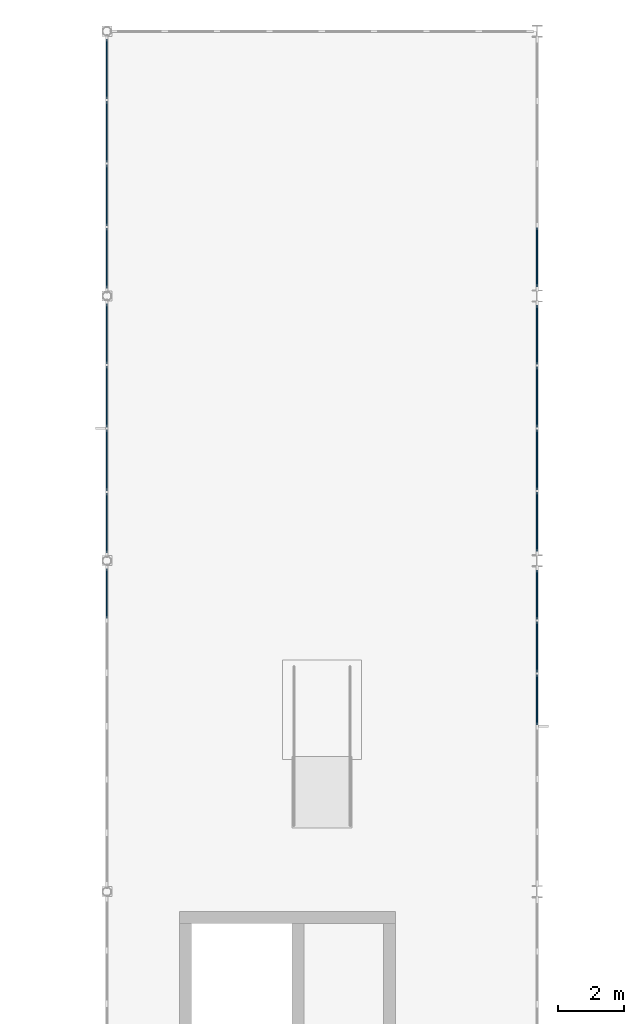
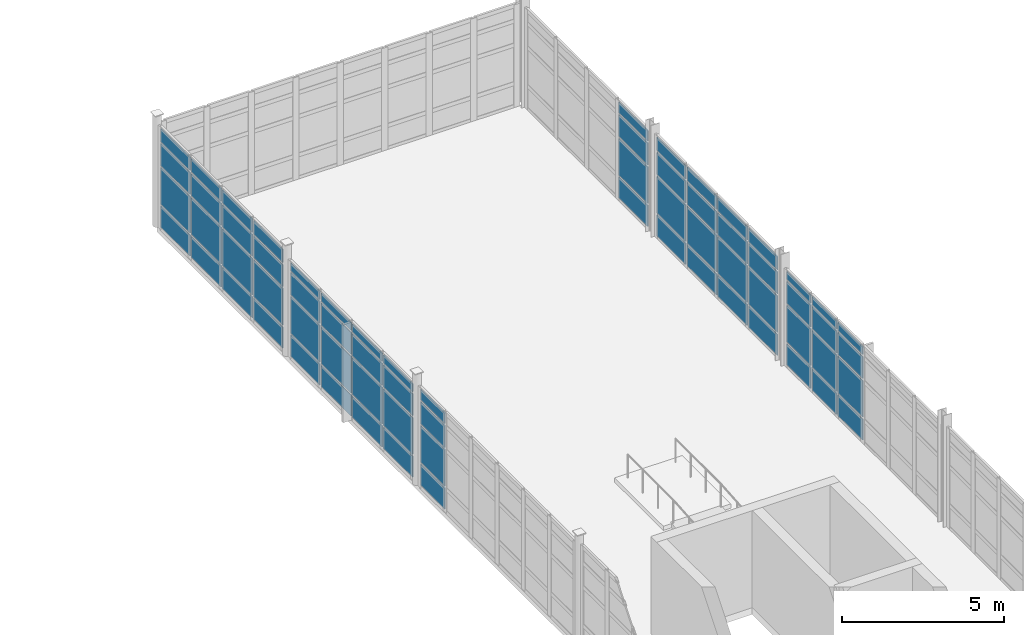
# One storey, part 86 of 122: 68 plates, 6 elements without a shape of their own.
"""IFC4 building model written with IfcOpenShell, lengths in metres."""

from ifc_helpers import new_model, si_unit, direction, frame, origin, origin_2d, place, context, subcontext, project, spatial, rectangle, extrude, material, layer, layer_set, type_object, element, aggregate, save


model = new_model("IFC4")

# Units and contexts
model_context = context("Model", 3, precision=1e-05, world=origin(), true_north=direction((0.0, 1.0)))
body_context = subcontext(model_context, "Body", "Model", "MODEL_VIEW")
ifc_project = project(units=[si_unit("LENGTHUNIT", "METRE"), si_unit("AREAUNIT", "SQUARE_METRE"), si_unit("VOLUMEUNIT", "CUBIC_METRE"), si_unit("PLANEANGLEUNIT", "RADIAN"), si_unit("MASSUNIT", "GRAM", prefix="KILO"), si_unit("THERMODYNAMICTEMPERATUREUNIT", "KELVIN"), si_unit("POWERUNIT", "WATT")], contexts=[model_context])

# Site, building, storey
site_placement = place(None, origin())
site = spatial("IfcSite", under=ifc_project, at=site_placement, CompositionType="ELEMENT")
building_placement = place(site_placement, origin())
building = spatial("IfcBuilding", under=site, at=building_placement, Name="Korenveer Ferry Terminal", CompositionType="ELEMENT")
storey_placement = place(building_placement, frame((0.0, 0.0, 10.199951171875)))
storey = spatial("IfcBuildingStorey", under=building, at=storey_placement, Name="L02", CompositionType="ELEMENT", Elevation=10.199951171875)

# Curtain wall, plates
ifc_material_1 = material(Name="Unitised bronze-and-glass curtain wall", Category="glass")
ifc_layer_1 = layer(ifc_material_1, 0.219970703125)
ifc_layer_set_1 = layer_set([ifc_layer_1], Name="Unitised bronze-and-glass curtain wall")
curtain_wall_type_1 = type_object("IfcCurtainWallType", Name="ENV-CW-111", PredefinedType="USERDEFINED", material=ifc_layer_set_1)
curtain_wall_1_placement = place(storey_placement, frame((40.0, 90.16650390625, 0.0)))
curtain_wall_1 = element("IfcCurtainWall", 1, at=curtain_wall_1_placement, inside=storey, type_object=curtain_wall_type_1, Name="Lancet curtain wall CWX-L02-X40-40-Y90-100", ObjectType="UNITISED CURTAIN WALL", PredefinedType="USERDEFINED")
ifc_material_2 = material(Name="Acoustic laminated marine glazing", Category="glass")
ifc_layer_2 = layer(ifc_material_2, 0.035888671875)
ifc_layer_set_2 = layer_set([ifc_layer_2], Name="Acoustic laminated marine glazing")
plate_type = type_object("IfcPlateType", Name="ENV-CWP-GLZ36", PredefinedType="CURTAIN_PANEL", material=ifc_layer_set_2)
plate_1_placement = place(storey_placement, frame((40.0, 99.00927734375, 0.074951171875), z_axis=(0.0, 0.0, 1.0), x_axis=(0.0, 1.0, 0.0)))
plate_1 = element("IfcPlate", 2, at=plate_1_placement, type_object=plate_type, Name="CW-111 panel 6.1", PredefinedType="CURTAIN_PANEL", context=body_context, shape_type="SweptSolid", body=[
    extrude(rectangle(XDim=1.498779296875, YDim=0.035888671875, at=origin_2d()), origin(), (0.0, 0.0, 1.0), 0.78759765625),
])
plate_2_placement = place(storey_placement, frame((40.0, 99.00927734375, 0.9375), z_axis=(0.0, 0.0, 1.0), x_axis=(0.0, 1.0, 0.0)))
plate_2 = element("IfcPlate", 3, at=plate_2_placement, type_object=plate_type, Name="CW-111 panel 6.2", PredefinedType="CURTAIN_PANEL", context=body_context, shape_type="SweptSolid", body=[
    extrude(rectangle(XDim=1.498779296875, YDim=0.035888671875, at=origin_2d()), origin(), (0.0, 0.0, 1.0), 1.375),
])
plate_3_placement = place(storey_placement, frame((40.0, 99.00927734375, 2.3876953125), z_axis=(0.0, 0.0, 1.0), x_axis=(0.0, 1.0, 0.0)))
plate_3 = element("IfcPlate", 4, at=plate_3_placement, type_object=plate_type, Name="CW-111 panel 6.3", PredefinedType="CURTAIN_PANEL", context=body_context, shape_type="SweptSolid", body=[
    extrude(rectangle(XDim=1.498779296875, YDim=0.035888671875, at=origin_2d()), origin(), (0.0, 0.0, 1.0), 0.824951171875),
])
plate_4_placement = place(storey_placement, frame((40.0, 99.00927734375, 3.28759765625), z_axis=(0.0, 0.0, 1.0), x_axis=(0.0, 1.0, 0.0)))
plate_4 = element("IfcPlate", 5, at=plate_4_placement, type_object=plate_type, Name="CW-111 panel 6.4", PredefinedType="CURTAIN_PANEL", context=body_context, shape_type="SweptSolid", body=[
    extrude(rectangle(XDim=1.498779296875, YDim=0.035888671875, at=origin_2d()), origin(), (0.0, 0.0, 1.0), 0.3974609375),
])
aggregate(curtain_wall_1, [plate_1, plate_2, plate_3, plate_4])

ifc_layer_3 = layer(ifc_material_1, 0.219970703125)
ifc_layer_set_3 = layer_set([ifc_layer_3], Name="Unitised bronze-and-glass curtain wall")
curtain_wall_type_2 = type_object("IfcCurtainWallType", Name="ENV-CW-112", PredefinedType="USERDEFINED", material=ifc_layer_set_3)
curtain_wall_2_placement = place(storey_placement, frame((40.0, 100.16650390625, 0.0)))
curtain_wall_2 = element("IfcCurtainWall", 6, at=curtain_wall_2_placement, inside=storey, type_object=curtain_wall_type_2, Name="Lancet curtain wall CWX-L02-X40-40-Y100-108", ObjectType="UNITISED CURTAIN WALL", PredefinedType="USERDEFINED")
plate_5_placement = place(storey_placement, frame((40.0, 101.1435546875, 0.074951171875), z_axis=(0.0, 0.0, 1.0), x_axis=(0.0, 1.0, 0.0)))
plate_5 = element("IfcPlate", 7, at=plate_5_placement, type_object=plate_type, Name="CW-112 panel 1.1", PredefinedType="CURTAIN_PANEL", context=body_context, shape_type="SweptSolid", body=[
    extrude(rectangle(XDim=1.80419921875, YDim=0.035888671875, at=origin_2d()), origin(), (0.0, 0.0, 1.0), 0.78759765625),
])
plate_6_placement = place(storey_placement, frame((40.0, 101.1435546875, 0.9375), z_axis=(0.0, 0.0, 1.0), x_axis=(0.0, 1.0, 0.0)))
plate_6 = element("IfcPlate", 8, at=plate_6_placement, type_object=plate_type, Name="CW-112 panel 1.2", PredefinedType="CURTAIN_PANEL", context=body_context, shape_type="SweptSolid", body=[
    extrude(rectangle(XDim=1.80419921875, YDim=0.035888671875, at=origin_2d()), origin(), (0.0, 0.0, 1.0), 1.375),
])
plate_7_placement = place(storey_placement, frame((40.0, 101.1435546875, 2.3876953125), z_axis=(0.0, 0.0, 1.0), x_axis=(0.0, 1.0, 0.0)))
plate_7 = element("IfcPlate", 9, at=plate_7_placement, type_object=plate_type, Name="CW-112 panel 1.3", PredefinedType="CURTAIN_PANEL", context=body_context, shape_type="SweptSolid", body=[
    extrude(rectangle(XDim=1.80419921875, YDim=0.035888671875, at=origin_2d()), origin(), (0.0, 0.0, 1.0), 0.824951171875),
])
plate_8_placement = place(storey_placement, frame((40.0, 101.1435546875, 3.28759765625), z_axis=(0.0, 0.0, 1.0), x_axis=(0.0, 1.0, 0.0)))
plate_8 = element("IfcPlate", 10, at=plate_8_placement, type_object=plate_type, Name="CW-112 panel 1.4", PredefinedType="CURTAIN_PANEL", context=body_context, shape_type="SweptSolid", body=[
    extrude(rectangle(XDim=1.80419921875, YDim=0.035888671875, at=origin_2d()), origin(), (0.0, 0.0, 1.0), 0.297607421875),
])
plate_9_placement = place(storey_placement, frame((40.0, 103.04150390625, 0.074951171875), z_axis=(0.0, 0.0, 1.0), x_axis=(0.0, 1.0, 0.0)))
plate_9 = element("IfcPlate", 11, at=plate_9_placement, type_object=plate_type, Name="CW-112 panel 2.1", PredefinedType="CURTAIN_PANEL", context=body_context, shape_type="SweptSolid", body=[
    extrude(rectangle(XDim=1.841796875, YDim=0.035888671875, at=origin_2d()), origin(), (0.0, 0.0, 1.0), 0.78759765625),
])
plate_10_placement = place(storey_placement, frame((40.0, 103.04150390625, 0.9375), z_axis=(0.0, 0.0, 1.0), x_axis=(0.0, 1.0, 0.0)))
plate_10 = element("IfcPlate", 12, at=plate_10_placement, type_object=plate_type, Name="CW-112 panel 2.2", PredefinedType="CURTAIN_PANEL", context=body_context, shape_type="SweptSolid", body=[
    extrude(rectangle(XDim=1.841796875, YDim=0.035888671875, at=origin_2d()), origin(), (0.0, 0.0, 1.0), 1.375),
])
plate_11_placement = place(storey_placement, frame((40.0, 103.04150390625, 2.3876953125), z_axis=(0.0, 0.0, 1.0), x_axis=(0.0, 1.0, 0.0)))
plate_11 = element("IfcPlate", 13, at=plate_11_placement, type_object=plate_type, Name="CW-112 panel 2.3", PredefinedType="CURTAIN_PANEL", context=body_context, shape_type="SweptSolid", body=[
    extrude(rectangle(XDim=1.841796875, YDim=0.035888671875, at=origin_2d()), origin(), (0.0, 0.0, 1.0), 0.824951171875),
])
plate_12_placement = place(storey_placement, frame((40.0, 103.04150390625, 3.28759765625), z_axis=(0.0, 0.0, 1.0), x_axis=(0.0, 1.0, 0.0)))
plate_12 = element("IfcPlate", 14, at=plate_12_placement, type_object=plate_type, Name="CW-112 panel 2.4", PredefinedType="CURTAIN_PANEL", context=body_context, shape_type="SweptSolid", body=[
    extrude(rectangle(XDim=1.841796875, YDim=0.035888671875, at=origin_2d()), origin(), (0.0, 0.0, 1.0), 0.297607421875),
])
plate_13_placement = place(storey_placement, frame((40.0, 104.95849609375, 0.074951171875), z_axis=(0.0, 0.0, 1.0), x_axis=(0.0, 1.0, 0.0)))
plate_13 = element("IfcPlate", 15, at=plate_13_placement, type_object=plate_type, Name="CW-112 panel 3.1", PredefinedType="CURTAIN_PANEL", context=body_context, shape_type="SweptSolid", body=[
    extrude(rectangle(XDim=1.841796875, YDim=0.035888671875, at=origin_2d()), origin(), (0.0, 0.0, 1.0), 0.78759765625),
])
plate_14_placement = place(storey_placement, frame((40.0, 104.95849609375, 0.9375), z_axis=(0.0, 0.0, 1.0), x_axis=(0.0, 1.0, 0.0)))
plate_14 = element("IfcPlate", 16, at=plate_14_placement, type_object=plate_type, Name="CW-112 panel 3.2", PredefinedType="CURTAIN_PANEL", context=body_context, shape_type="SweptSolid", body=[
    extrude(rectangle(XDim=1.841796875, YDim=0.035888671875, at=origin_2d()), origin(), (0.0, 0.0, 1.0), 1.375),
])
plate_15_placement = place(storey_placement, frame((40.0, 104.95849609375, 2.3876953125), z_axis=(0.0, 0.0, 1.0), x_axis=(0.0, 1.0, 0.0)))
plate_15 = element("IfcPlate", 17, at=plate_15_placement, type_object=plate_type, Name="CW-112 panel 3.3", PredefinedType="CURTAIN_PANEL", context=body_context, shape_type="SweptSolid", body=[
    extrude(rectangle(XDim=1.841796875, YDim=0.035888671875, at=origin_2d()), origin(), (0.0, 0.0, 1.0), 0.824951171875),
])
plate_16_placement = place(storey_placement, frame((40.0, 104.95849609375, 3.28759765625), z_axis=(0.0, 0.0, 1.0), x_axis=(0.0, 1.0, 0.0)))
plate_16 = element("IfcPlate", 18, at=plate_16_placement, type_object=plate_type, Name="CW-112 panel 3.4", PredefinedType="CURTAIN_PANEL", context=body_context, shape_type="SweptSolid", body=[
    extrude(rectangle(XDim=1.841796875, YDim=0.035888671875, at=origin_2d()), origin(), (0.0, 0.0, 1.0), 0.297607421875),
])
plate_17_placement = place(storey_placement, frame((40.0, 106.8564453125, 0.074951171875), z_axis=(0.0, 0.0, 1.0), x_axis=(0.0, 1.0, 0.0)))
plate_17 = element("IfcPlate", 19, at=plate_17_placement, type_object=plate_type, Name="CW-112 panel 4.1", PredefinedType="CURTAIN_PANEL", context=body_context, shape_type="SweptSolid", body=[
    extrude(rectangle(XDim=1.80419921875, YDim=0.035888671875, at=origin_2d()), origin(), (0.0, 0.0, 1.0), 0.78759765625),
])
plate_18_placement = place(storey_placement, frame((40.0, 106.8564453125, 0.9375), z_axis=(0.0, 0.0, 1.0), x_axis=(0.0, 1.0, 0.0)))
plate_18 = element("IfcPlate", 20, at=plate_18_placement, type_object=plate_type, Name="CW-112 panel 4.2", PredefinedType="CURTAIN_PANEL", context=body_context, shape_type="SweptSolid", body=[
    extrude(rectangle(XDim=1.80419921875, YDim=0.035888671875, at=origin_2d()), origin(), (0.0, 0.0, 1.0), 1.375),
])
plate_19_placement = place(storey_placement, frame((40.0, 106.8564453125, 2.3876953125), z_axis=(0.0, 0.0, 1.0), x_axis=(0.0, 1.0, 0.0)))
plate_19 = element("IfcPlate", 21, at=plate_19_placement, type_object=plate_type, Name="CW-112 panel 4.3", PredefinedType="CURTAIN_PANEL", context=body_context, shape_type="SweptSolid", body=[
    extrude(rectangle(XDim=1.80419921875, YDim=0.035888671875, at=origin_2d()), origin(), (0.0, 0.0, 1.0), 0.824951171875),
])
plate_20_placement = place(storey_placement, frame((40.0, 106.8564453125, 3.28759765625), z_axis=(0.0, 0.0, 1.0), x_axis=(0.0, 1.0, 0.0)))
plate_20 = element("IfcPlate", 22, at=plate_20_placement, type_object=plate_type, Name="CW-112 panel 4.4", PredefinedType="CURTAIN_PANEL", context=body_context, shape_type="SweptSolid", body=[
    extrude(rectangle(XDim=1.80419921875, YDim=0.035888671875, at=origin_2d()), origin(), (0.0, 0.0, 1.0), 0.297607421875),
])
aggregate(curtain_wall_2, [plate_5, plate_6, plate_7, plate_8, plate_9, plate_10, plate_11, plate_12, plate_13, plate_14, plate_15, plate_16, plate_17, plate_18, plate_19, plate_20])

ifc_layer_4 = layer(ifc_material_1, 0.219970703125)
ifc_layer_set_4 = layer_set([ifc_layer_4], Name="Unitised bronze-and-glass curtain wall")
curtain_wall_type_3 = type_object("IfcCurtainWallType", Name="ENV-CW-113", PredefinedType="USERDEFINED", material=ifc_layer_set_4)
curtain_wall_3_placement = place(storey_placement, frame((40.0, 108.16650390625, 0.0)))
curtain_wall_3 = element("IfcCurtainWall", 23, at=curtain_wall_3_placement, inside=storey, type_object=curtain_wall_type_3, Name="Lancet curtain wall CWX-L02-X40-40-Y108-116", ObjectType="UNITISED CURTAIN WALL", PredefinedType="USERDEFINED")
plate_21_placement = place(storey_placement, frame((40.0, 109.1435546875, 0.074951171875), z_axis=(0.0, 0.0, 1.0), x_axis=(0.0, 1.0, 0.0)))
plate_21 = element("IfcPlate", 24, at=plate_21_placement, type_object=plate_type, Name="CW-113 panel 1.1", PredefinedType="CURTAIN_PANEL", context=body_context, shape_type="SweptSolid", body=[
    extrude(rectangle(XDim=1.80419921875, YDim=0.035888671875, at=origin_2d()), origin(), (0.0, 0.0, 1.0), 0.78759765625),
])
plate_22_placement = place(storey_placement, frame((40.0, 109.1435546875, 0.9375), z_axis=(0.0, 0.0, 1.0), x_axis=(0.0, 1.0, 0.0)))
plate_22 = element("IfcPlate", 25, at=plate_22_placement, type_object=plate_type, Name="CW-113 panel 1.2", PredefinedType="CURTAIN_PANEL", context=body_context, shape_type="SweptSolid", body=[
    extrude(rectangle(XDim=1.80419921875, YDim=0.035888671875, at=origin_2d()), origin(), (0.0, 0.0, 1.0), 1.375),
])
plate_23_placement = place(storey_placement, frame((40.0, 109.1435546875, 2.3876953125), z_axis=(0.0, 0.0, 1.0), x_axis=(0.0, 1.0, 0.0)))
plate_23 = element("IfcPlate", 26, at=plate_23_placement, type_object=plate_type, Name="CW-113 panel 1.3", PredefinedType="CURTAIN_PANEL", context=body_context, shape_type="SweptSolid", body=[
    extrude(rectangle(XDim=1.80419921875, YDim=0.035888671875, at=origin_2d()), origin(), (0.0, 0.0, 1.0), 0.824951171875),
])
plate_24_placement = place(storey_placement, frame((40.0, 109.1435546875, 3.28759765625), z_axis=(0.0, 0.0, 1.0), x_axis=(0.0, 1.0, 0.0)))
plate_24 = element("IfcPlate", 27, at=plate_24_placement, type_object=plate_type, Name="CW-113 panel 1.4", PredefinedType="CURTAIN_PANEL", context=body_context, shape_type="SweptSolid", body=[
    extrude(rectangle(XDim=1.80419921875, YDim=0.035888671875, at=origin_2d()), origin(), (0.0, 0.0, 1.0), 0.49755859375),
])
plate_25_placement = place(storey_placement, frame((40.0, 111.04150390625, 0.074951171875), z_axis=(0.0, 0.0, 1.0), x_axis=(0.0, 1.0, 0.0)))
plate_25 = element("IfcPlate", 28, at=plate_25_placement, type_object=plate_type, Name="CW-113 panel 2.1", PredefinedType="CURTAIN_PANEL", context=body_context, shape_type="SweptSolid", body=[
    extrude(rectangle(XDim=1.841796875, YDim=0.035888671875, at=origin_2d()), origin(), (0.0, 0.0, 1.0), 0.78759765625),
])
plate_26_placement = place(storey_placement, frame((40.0, 111.04150390625, 0.9375), z_axis=(0.0, 0.0, 1.0), x_axis=(0.0, 1.0, 0.0)))
plate_26 = element("IfcPlate", 29, at=plate_26_placement, type_object=plate_type, Name="CW-113 panel 2.2", PredefinedType="CURTAIN_PANEL", context=body_context, shape_type="SweptSolid", body=[
    extrude(rectangle(XDim=1.841796875, YDim=0.035888671875, at=origin_2d()), origin(), (0.0, 0.0, 1.0), 1.375),
])
plate_27_placement = place(storey_placement, frame((40.0, 111.04150390625, 2.3876953125), z_axis=(0.0, 0.0, 1.0), x_axis=(0.0, 1.0, 0.0)))
plate_27 = element("IfcPlate", 30, at=plate_27_placement, type_object=plate_type, Name="CW-113 panel 2.3", PredefinedType="CURTAIN_PANEL", context=body_context, shape_type="SweptSolid", body=[
    extrude(rectangle(XDim=1.841796875, YDim=0.035888671875, at=origin_2d()), origin(), (0.0, 0.0, 1.0), 0.824951171875),
])
plate_28_placement = place(storey_placement, frame((40.0, 111.04150390625, 3.28759765625), z_axis=(0.0, 0.0, 1.0), x_axis=(0.0, 1.0, 0.0)))
plate_28 = element("IfcPlate", 31, at=plate_28_placement, type_object=plate_type, Name="CW-113 panel 2.4", PredefinedType="CURTAIN_PANEL", context=body_context, shape_type="SweptSolid", body=[
    extrude(rectangle(XDim=1.841796875, YDim=0.035888671875, at=origin_2d()), origin(), (0.0, 0.0, 1.0), 0.49755859375),
])
plate_29_placement = place(storey_placement, frame((40.0, 112.95849609375, 0.074951171875), z_axis=(0.0, 0.0, 1.0), x_axis=(0.0, 1.0, 0.0)))
plate_29 = element("IfcPlate", 32, at=plate_29_placement, type_object=plate_type, Name="CW-113 panel 3.1", PredefinedType="CURTAIN_PANEL", context=body_context, shape_type="SweptSolid", body=[
    extrude(rectangle(XDim=1.841796875, YDim=0.035888671875, at=origin_2d()), origin(), (0.0, 0.0, 1.0), 0.78759765625),
])
plate_30_placement = place(storey_placement, frame((40.0, 112.95849609375, 0.9375), z_axis=(0.0, 0.0, 1.0), x_axis=(0.0, 1.0, 0.0)))
plate_30 = element("IfcPlate", 33, at=plate_30_placement, type_object=plate_type, Name="CW-113 panel 3.2", PredefinedType="CURTAIN_PANEL", context=body_context, shape_type="SweptSolid", body=[
    extrude(rectangle(XDim=1.841796875, YDim=0.035888671875, at=origin_2d()), origin(), (0.0, 0.0, 1.0), 1.375),
])
plate_31_placement = place(storey_placement, frame((40.0, 112.95849609375, 2.3876953125), z_axis=(0.0, 0.0, 1.0), x_axis=(0.0, 1.0, 0.0)))
plate_31 = element("IfcPlate", 34, at=plate_31_placement, type_object=plate_type, Name="CW-113 panel 3.3", PredefinedType="CURTAIN_PANEL", context=body_context, shape_type="SweptSolid", body=[
    extrude(rectangle(XDim=1.841796875, YDim=0.035888671875, at=origin_2d()), origin(), (0.0, 0.0, 1.0), 0.824951171875),
])
plate_32_placement = place(storey_placement, frame((40.0, 112.95849609375, 3.28759765625), z_axis=(0.0, 0.0, 1.0), x_axis=(0.0, 1.0, 0.0)))
plate_32 = element("IfcPlate", 35, at=plate_32_placement, type_object=plate_type, Name="CW-113 panel 3.4", PredefinedType="CURTAIN_PANEL", context=body_context, shape_type="SweptSolid", body=[
    extrude(rectangle(XDim=1.841796875, YDim=0.035888671875, at=origin_2d()), origin(), (0.0, 0.0, 1.0), 0.49755859375),
])
plate_33_placement = place(storey_placement, frame((40.0, 114.8564453125, 0.074951171875), z_axis=(0.0, 0.0, 1.0), x_axis=(0.0, 1.0, 0.0)))
plate_33 = element("IfcPlate", 36, at=plate_33_placement, type_object=plate_type, Name="CW-113 panel 4.1", PredefinedType="CURTAIN_PANEL", context=body_context, shape_type="SweptSolid", body=[
    extrude(rectangle(XDim=1.80419921875, YDim=0.035888671875, at=origin_2d()), origin(), (0.0, 0.0, 1.0), 0.78759765625),
])
plate_34_placement = place(storey_placement, frame((40.0, 114.8564453125, 0.9375), z_axis=(0.0, 0.0, 1.0), x_axis=(0.0, 1.0, 0.0)))
plate_34 = element("IfcPlate", 37, at=plate_34_placement, type_object=plate_type, Name="CW-113 panel 4.2", PredefinedType="CURTAIN_PANEL", context=body_context, shape_type="SweptSolid", body=[
    extrude(rectangle(XDim=1.80419921875, YDim=0.035888671875, at=origin_2d()), origin(), (0.0, 0.0, 1.0), 1.375),
])
plate_35_placement = place(storey_placement, frame((40.0, 114.8564453125, 2.3876953125), z_axis=(0.0, 0.0, 1.0), x_axis=(0.0, 1.0, 0.0)))
plate_35 = element("IfcPlate", 38, at=plate_35_placement, type_object=plate_type, Name="CW-113 panel 4.3", PredefinedType="CURTAIN_PANEL", context=body_context, shape_type="SweptSolid", body=[
    extrude(rectangle(XDim=1.80419921875, YDim=0.035888671875, at=origin_2d()), origin(), (0.0, 0.0, 1.0), 0.824951171875),
])
plate_36_placement = place(storey_placement, frame((40.0, 114.8564453125, 3.28759765625), z_axis=(0.0, 0.0, 1.0), x_axis=(0.0, 1.0, 0.0)))
plate_36 = element("IfcPlate", 39, at=plate_36_placement, type_object=plate_type, Name="CW-113 panel 4.4", PredefinedType="CURTAIN_PANEL", context=body_context, shape_type="SweptSolid", body=[
    extrude(rectangle(XDim=1.80419921875, YDim=0.035888671875, at=origin_2d()), origin(), (0.0, 0.0, 1.0), 0.49755859375),
])
aggregate(curtain_wall_3, [plate_21, plate_22, plate_23, plate_24, plate_25, plate_26, plate_27, plate_28, plate_29, plate_30, plate_31, plate_32, plate_33, plate_34, plate_35, plate_36])

ifc_layer_5 = layer(ifc_material_1, 0.219970703125)
ifc_layer_set_5 = layer_set([ifc_layer_5], Name="Unitised bronze-and-glass curtain wall")
curtain_wall_type_4 = type_object("IfcCurtainWallType", Name="ENV-CW-115", PredefinedType="USERDEFINED", material=ifc_layer_set_5)
curtain_wall_4_placement = place(storey_placement, frame((53.0, 99.7900390625, 0.0)))
curtain_wall_4 = element("IfcCurtainWall", 40, at=curtain_wall_4_placement, inside=storey, type_object=curtain_wall_type_4, Name="Lancet curtain wall CWX-L02-X53-53-Y90-100", ObjectType="UNITISED CURTAIN WALL", PredefinedType="USERDEFINED")
plate_37_placement = place(storey_placement, frame((53.0, 98.972900390625, 0.074951171875), z_axis=(0.0, 0.0, 1.0), x_axis=(0.0, -1.0, 0.0)))
plate_37 = element("IfcPlate", 41, at=plate_37_placement, type_object=plate_type, Name="CW-115 panel 1.1", PredefinedType="CURTAIN_PANEL", context=body_context, shape_type="SweptSolid", body=[
    extrude(rectangle(XDim=1.484130859375, YDim=0.035888671875, at=origin_2d()), origin(), (0.0, 0.0, 1.0), 0.78759765625),
])
plate_38_placement = place(storey_placement, frame((53.0, 98.972900390625, 0.9375), z_axis=(0.0, 0.0, 1.0), x_axis=(0.0, -1.0, 0.0)))
plate_38 = element("IfcPlate", 42, at=plate_38_placement, type_object=plate_type, Name="CW-115 panel 1.2", PredefinedType="CURTAIN_PANEL", context=body_context, shape_type="SweptSolid", body=[
    extrude(rectangle(XDim=1.484130859375, YDim=0.035888671875, at=origin_2d()), origin(), (0.0, 0.0, 1.0), 1.375),
])
plate_39_placement = place(storey_placement, frame((53.0, 98.972900390625, 2.3876953125), z_axis=(0.0, 0.0, 1.0), x_axis=(0.0, -1.0, 0.0)))
plate_39 = element("IfcPlate", 43, at=plate_39_placement, type_object=plate_type, Name="CW-115 panel 1.3", PredefinedType="CURTAIN_PANEL", context=body_context, shape_type="SweptSolid", body=[
    extrude(rectangle(XDim=1.484130859375, YDim=0.035888671875, at=origin_2d()), origin(), (0.0, 0.0, 1.0), 0.824951171875),
])
plate_40_placement = place(storey_placement, frame((53.0, 98.972900390625, 3.28759765625), z_axis=(0.0, 0.0, 1.0), x_axis=(0.0, -1.0, 0.0)))
plate_40 = element("IfcPlate", 44, at=plate_40_placement, type_object=plate_type, Name="CW-115 panel 1.4", PredefinedType="CURTAIN_PANEL", context=body_context, shape_type="SweptSolid", body=[
    extrude(rectangle(XDim=1.484130859375, YDim=0.035888671875, at=origin_2d()), origin(), (0.0, 0.0, 1.0), 0.297607421875),
])
plate_41_placement = place(storey_placement, frame((53.0, 97.39501953125, 0.074951171875), z_axis=(0.0, 0.0, 1.0), x_axis=(0.0, -1.0, 0.0)))
plate_41 = element("IfcPlate", 45, at=plate_41_placement, type_object=plate_type, Name="CW-115 panel 2.1", PredefinedType="CURTAIN_PANEL", context=body_context, shape_type="SweptSolid", body=[
    extrude(rectangle(XDim=1.521728515625, YDim=0.035888671875, at=origin_2d()), origin(), (0.0, 0.0, 1.0), 0.78759765625),
])
plate_42_placement = place(storey_placement, frame((53.0, 97.39501953125, 0.9375), z_axis=(0.0, 0.0, 1.0), x_axis=(0.0, -1.0, 0.0)))
plate_42 = element("IfcPlate", 46, at=plate_42_placement, type_object=plate_type, Name="CW-115 panel 2.2", PredefinedType="CURTAIN_PANEL", context=body_context, shape_type="SweptSolid", body=[
    extrude(rectangle(XDim=1.521728515625, YDim=0.035888671875, at=origin_2d()), origin(), (0.0, 0.0, 1.0), 1.375),
])
plate_43_placement = place(storey_placement, frame((53.0, 97.39501953125, 2.3876953125), z_axis=(0.0, 0.0, 1.0), x_axis=(0.0, -1.0, 0.0)))
plate_43 = element("IfcPlate", 47, at=plate_43_placement, type_object=plate_type, Name="CW-115 panel 2.3", PredefinedType="CURTAIN_PANEL", context=body_context, shape_type="SweptSolid", body=[
    extrude(rectangle(XDim=1.521728515625, YDim=0.035888671875, at=origin_2d()), origin(), (0.0, 0.0, 1.0), 0.824951171875),
])
plate_44_placement = place(storey_placement, frame((53.0, 97.39501953125, 3.28759765625), z_axis=(0.0, 0.0, 1.0), x_axis=(0.0, -1.0, 0.0)))
plate_44 = element("IfcPlate", 48, at=plate_44_placement, type_object=plate_type, Name="CW-115 panel 2.4", PredefinedType="CURTAIN_PANEL", context=body_context, shape_type="SweptSolid", body=[
    extrude(rectangle(XDim=1.521728515625, YDim=0.035888671875, at=origin_2d()), origin(), (0.0, 0.0, 1.0), 0.297607421875),
])
plate_45_placement = place(storey_placement, frame((53.0, 95.79833984375, 0.074951171875), z_axis=(0.0, 0.0, 1.0), x_axis=(0.0, -1.0, 0.0)))
plate_45 = element("IfcPlate", 49, at=plate_45_placement, type_object=plate_type, Name="CW-115 panel 3.1", PredefinedType="CURTAIN_PANEL", context=body_context, shape_type="SweptSolid", body=[
    extrude(rectangle(XDim=1.521728515625, YDim=0.035888671875, at=origin_2d()), origin(), (0.0, 0.0, 1.0), 0.78759765625),
])
plate_46_placement = place(storey_placement, frame((53.0, 95.79833984375, 0.9375), z_axis=(0.0, 0.0, 1.0), x_axis=(0.0, -1.0, 0.0)))
plate_46 = element("IfcPlate", 50, at=plate_46_placement, type_object=plate_type, Name="CW-115 panel 3.2", PredefinedType="CURTAIN_PANEL", context=body_context, shape_type="SweptSolid", body=[
    extrude(rectangle(XDim=1.521728515625, YDim=0.035888671875, at=origin_2d()), origin(), (0.0, 0.0, 1.0), 1.375),
])
plate_47_placement = place(storey_placement, frame((53.0, 95.79833984375, 2.3876953125), z_axis=(0.0, 0.0, 1.0), x_axis=(0.0, -1.0, 0.0)))
plate_47 = element("IfcPlate", 51, at=plate_47_placement, type_object=plate_type, Name="CW-115 panel 3.3", PredefinedType="CURTAIN_PANEL", context=body_context, shape_type="SweptSolid", body=[
    extrude(rectangle(XDim=1.521728515625, YDim=0.035888671875, at=origin_2d()), origin(), (0.0, 0.0, 1.0), 0.824951171875),
])
plate_48_placement = place(storey_placement, frame((53.0, 95.79833984375, 3.28759765625), z_axis=(0.0, 0.0, 1.0), x_axis=(0.0, -1.0, 0.0)))
plate_48 = element("IfcPlate", 52, at=plate_48_placement, type_object=plate_type, Name="CW-115 panel 3.4", PredefinedType="CURTAIN_PANEL", context=body_context, shape_type="SweptSolid", body=[
    extrude(rectangle(XDim=1.521728515625, YDim=0.035888671875, at=origin_2d()), origin(), (0.0, 0.0, 1.0), 0.297607421875),
])
aggregate(curtain_wall_4, [plate_37, plate_38, plate_39, plate_40, plate_41, plate_42, plate_43, plate_44, plate_45, plate_46, plate_47, plate_48])

ifc_layer_6 = layer(ifc_material_1, 0.219970703125)
ifc_layer_set_6 = layer_set([ifc_layer_6], Name="Unitised bronze-and-glass curtain wall")
curtain_wall_type_5 = type_object("IfcCurtainWallType", Name="ENV-CW-118", PredefinedType="USERDEFINED", material=ifc_layer_set_6)
curtain_wall_5_placement = place(storey_placement, frame((53.0, 107.7900390625, 0.0)))
curtain_wall_5 = element("IfcCurtainWall", 53, at=curtain_wall_5_placement, inside=storey, type_object=curtain_wall_type_5, Name="Lancet curtain wall CWX-L02-X53-53-Y100-108", ObjectType="UNITISED CURTAIN WALL", PredefinedType="USERDEFINED")
plate_49_placement = place(storey_placement, frame((53.0, 106.82373046875, 0.074951171875), z_axis=(0.0, 0.0, 1.0), x_axis=(0.0, -1.0, 0.0)))
plate_49 = element("IfcPlate", 54, at=plate_49_placement, type_object=plate_type, Name="CW-118 panel 1.1", PredefinedType="CURTAIN_PANEL", context=body_context, shape_type="SweptSolid", body=[
    extrude(rectangle(XDim=1.782470703125, YDim=0.035888671875, at=origin_2d()), origin(), (0.0, 0.0, 1.0), 0.78759765625),
])
plate_50_placement = place(storey_placement, frame((53.0, 106.82373046875, 0.9375), z_axis=(0.0, 0.0, 1.0), x_axis=(0.0, -1.0, 0.0)))
plate_50 = element("IfcPlate", 55, at=plate_50_placement, type_object=plate_type, Name="CW-118 panel 1.2", PredefinedType="CURTAIN_PANEL", context=body_context, shape_type="SweptSolid", body=[
    extrude(rectangle(XDim=1.782470703125, YDim=0.035888671875, at=origin_2d()), origin(), (0.0, 0.0, 1.0), 1.375),
])
plate_51_placement = place(storey_placement, frame((53.0, 106.82373046875, 2.3876953125), z_axis=(0.0, 0.0, 1.0), x_axis=(0.0, -1.0, 0.0)))
plate_51 = element("IfcPlate", 56, at=plate_51_placement, type_object=plate_type, Name="CW-118 panel 1.3", PredefinedType="CURTAIN_PANEL", context=body_context, shape_type="SweptSolid", body=[
    extrude(rectangle(XDim=1.782470703125, YDim=0.035888671875, at=origin_2d()), origin(), (0.0, 0.0, 1.0), 0.824951171875),
])
plate_52_placement = place(storey_placement, frame((53.0, 106.82373046875, 3.28759765625), z_axis=(0.0, 0.0, 1.0), x_axis=(0.0, -1.0, 0.0)))
plate_52 = element("IfcPlate", 57, at=plate_52_placement, type_object=plate_type, Name="CW-118 panel 1.4", PredefinedType="CURTAIN_PANEL", context=body_context, shape_type="SweptSolid", body=[
    extrude(rectangle(XDim=1.782470703125, YDim=0.035888671875, at=origin_2d()), origin(), (0.0, 0.0, 1.0), 0.49755859375),
])
plate_53_placement = place(storey_placement, frame((53.0, 104.947509765625, 0.074951171875), z_axis=(0.0, 0.0, 1.0), x_axis=(0.0, -1.0, 0.0)))
plate_53 = element("IfcPlate", 58, at=plate_53_placement, type_object=plate_type, Name="CW-118 panel 2.1", PredefinedType="CURTAIN_PANEL", context=body_context, shape_type="SweptSolid", body=[
    extrude(rectangle(XDim=1.820068359375, YDim=0.035888671875, at=origin_2d()), origin(), (0.0, 0.0, 1.0), 0.78759765625),
])
plate_54_placement = place(storey_placement, frame((53.0, 104.947509765625, 0.9375), z_axis=(0.0, 0.0, 1.0), x_axis=(0.0, -1.0, 0.0)))
plate_54 = element("IfcPlate", 59, at=plate_54_placement, type_object=plate_type, Name="CW-118 panel 2.2", PredefinedType="CURTAIN_PANEL", context=body_context, shape_type="SweptSolid", body=[
    extrude(rectangle(XDim=1.820068359375, YDim=0.035888671875, at=origin_2d()), origin(), (0.0, 0.0, 1.0), 1.375),
])
plate_55_placement = place(storey_placement, frame((53.0, 104.947509765625, 2.3876953125), z_axis=(0.0, 0.0, 1.0), x_axis=(0.0, -1.0, 0.0)))
plate_55 = element("IfcPlate", 60, at=plate_55_placement, type_object=plate_type, Name="CW-118 panel 2.3", PredefinedType="CURTAIN_PANEL", context=body_context, shape_type="SweptSolid", body=[
    extrude(rectangle(XDim=1.820068359375, YDim=0.035888671875, at=origin_2d()), origin(), (0.0, 0.0, 1.0), 0.824951171875),
])
plate_56_placement = place(storey_placement, frame((53.0, 104.947509765625, 3.28759765625), z_axis=(0.0, 0.0, 1.0), x_axis=(0.0, -1.0, 0.0)))
plate_56 = element("IfcPlate", 61, at=plate_56_placement, type_object=plate_type, Name="CW-118 panel 2.4", PredefinedType="CURTAIN_PANEL", context=body_context, shape_type="SweptSolid", body=[
    extrude(rectangle(XDim=1.820068359375, YDim=0.035888671875, at=origin_2d()), origin(), (0.0, 0.0, 1.0), 0.49755859375),
])
plate_57_placement = place(storey_placement, frame((53.0, 103.052490234375, 0.074951171875), z_axis=(0.0, 0.0, 1.0), x_axis=(0.0, -1.0, 0.0)))
plate_57 = element("IfcPlate", 62, at=plate_57_placement, type_object=plate_type, Name="CW-118 panel 3.1", PredefinedType="CURTAIN_PANEL", context=body_context, shape_type="SweptSolid", body=[
    extrude(rectangle(XDim=1.820068359375, YDim=0.035888671875, at=origin_2d()), origin(), (0.0, 0.0, 1.0), 0.78759765625),
])
plate_58_placement = place(storey_placement, frame((53.0, 103.052490234375, 0.9375), z_axis=(0.0, 0.0, 1.0), x_axis=(0.0, -1.0, 0.0)))
plate_58 = element("IfcPlate", 63, at=plate_58_placement, type_object=plate_type, Name="CW-118 panel 3.2", PredefinedType="CURTAIN_PANEL", context=body_context, shape_type="SweptSolid", body=[
    extrude(rectangle(XDim=1.820068359375, YDim=0.035888671875, at=origin_2d()), origin(), (0.0, 0.0, 1.0), 1.375),
])
plate_59_placement = place(storey_placement, frame((53.0, 103.052490234375, 2.3876953125), z_axis=(0.0, 0.0, 1.0), x_axis=(0.0, -1.0, 0.0)))
plate_59 = element("IfcPlate", 64, at=plate_59_placement, type_object=plate_type, Name="CW-118 panel 3.3", PredefinedType="CURTAIN_PANEL", context=body_context, shape_type="SweptSolid", body=[
    extrude(rectangle(XDim=1.820068359375, YDim=0.035888671875, at=origin_2d()), origin(), (0.0, 0.0, 1.0), 0.824951171875),
])
plate_60_placement = place(storey_placement, frame((53.0, 103.052490234375, 3.28759765625), z_axis=(0.0, 0.0, 1.0), x_axis=(0.0, -1.0, 0.0)))
plate_60 = element("IfcPlate", 65, at=plate_60_placement, type_object=plate_type, Name="CW-118 panel 3.4", PredefinedType="CURTAIN_PANEL", context=body_context, shape_type="SweptSolid", body=[
    extrude(rectangle(XDim=1.820068359375, YDim=0.035888671875, at=origin_2d()), origin(), (0.0, 0.0, 1.0), 0.49755859375),
])
plate_61_placement = place(storey_placement, frame((53.0, 101.17626953125, 0.074951171875), z_axis=(0.0, 0.0, 1.0), x_axis=(0.0, -1.0, 0.0)))
plate_61 = element("IfcPlate", 66, at=plate_61_placement, type_object=plate_type, Name="CW-118 panel 4.1", PredefinedType="CURTAIN_PANEL", context=body_context, shape_type="SweptSolid", body=[
    extrude(rectangle(XDim=1.782470703125, YDim=0.035888671875, at=origin_2d()), origin(), (0.0, 0.0, 1.0), 0.78759765625),
])
plate_62_placement = place(storey_placement, frame((53.0, 101.17626953125, 0.9375), z_axis=(0.0, 0.0, 1.0), x_axis=(0.0, -1.0, 0.0)))
plate_62 = element("IfcPlate", 67, at=plate_62_placement, type_object=plate_type, Name="CW-118 panel 4.2", PredefinedType="CURTAIN_PANEL", context=body_context, shape_type="SweptSolid", body=[
    extrude(rectangle(XDim=1.782470703125, YDim=0.035888671875, at=origin_2d()), origin(), (0.0, 0.0, 1.0), 1.375),
])
plate_63_placement = place(storey_placement, frame((53.0, 101.17626953125, 2.3876953125), z_axis=(0.0, 0.0, 1.0), x_axis=(0.0, -1.0, 0.0)))
plate_63 = element("IfcPlate", 68, at=plate_63_placement, type_object=plate_type, Name="CW-118 panel 4.3", PredefinedType="CURTAIN_PANEL", context=body_context, shape_type="SweptSolid", body=[
    extrude(rectangle(XDim=1.782470703125, YDim=0.035888671875, at=origin_2d()), origin(), (0.0, 0.0, 1.0), 0.824951171875),
])
plate_64_placement = place(storey_placement, frame((53.0, 101.17626953125, 3.28759765625), z_axis=(0.0, 0.0, 1.0), x_axis=(0.0, -1.0, 0.0)))
plate_64 = element("IfcPlate", 69, at=plate_64_placement, type_object=plate_type, Name="CW-118 panel 4.4", PredefinedType="CURTAIN_PANEL", context=body_context, shape_type="SweptSolid", body=[
    extrude(rectangle(XDim=1.782470703125, YDim=0.035888671875, at=origin_2d()), origin(), (0.0, 0.0, 1.0), 0.49755859375),
])
aggregate(curtain_wall_5, [plate_49, plate_50, plate_51, plate_52, plate_53, plate_54, plate_55, plate_56, plate_57, plate_58, plate_59, plate_60, plate_61, plate_62, plate_63, plate_64])

ifc_layer_7 = layer(ifc_material_1, 0.219970703125)
ifc_layer_set_7 = layer_set([ifc_layer_7], Name="Unitised bronze-and-glass curtain wall")
curtain_wall_type_6 = type_object("IfcCurtainWallType", Name="ENV-CW-119", PredefinedType="USERDEFINED", material=ifc_layer_set_7)
curtain_wall_6_placement = place(storey_placement, frame((53.0, 115.7900390625, 0.0)))
curtain_wall_6 = element("IfcCurtainWall", 70, at=curtain_wall_6_placement, inside=storey, type_object=curtain_wall_type_6, Name="Lancet curtain wall CWX-L02-X53-53-Y108-116", ObjectType="UNITISED CURTAIN WALL", PredefinedType="USERDEFINED")
plate_65_placement = place(storey_placement, frame((53.0, 109.17626953125, 0.074951171875), z_axis=(0.0, 0.0, 1.0), x_axis=(0.0, -1.0, 0.0)))
plate_65 = element("IfcPlate", 71, at=plate_65_placement, type_object=plate_type, Name="CW-119 panel 4.1", PredefinedType="CURTAIN_PANEL", context=body_context, shape_type="SweptSolid", body=[
    extrude(rectangle(XDim=1.782470703125, YDim=0.035888671875, at=origin_2d()), origin(), (0.0, 0.0, 1.0), 0.78759765625),
])
plate_66_placement = place(storey_placement, frame((53.0, 109.17626953125, 0.9375), z_axis=(0.0, 0.0, 1.0), x_axis=(0.0, -1.0, 0.0)))
plate_66 = element("IfcPlate", 72, at=plate_66_placement, type_object=plate_type, Name="CW-119 panel 4.2", PredefinedType="CURTAIN_PANEL", context=body_context, shape_type="SweptSolid", body=[
    extrude(rectangle(XDim=1.782470703125, YDim=0.035888671875, at=origin_2d()), origin(), (0.0, 0.0, 1.0), 1.375),
])
plate_67_placement = place(storey_placement, frame((53.0, 109.17626953125, 2.3876953125), z_axis=(0.0, 0.0, 1.0), x_axis=(0.0, -1.0, 0.0)))
plate_67 = element("IfcPlate", 73, at=plate_67_placement, type_object=plate_type, Name="CW-119 panel 4.3", PredefinedType="CURTAIN_PANEL", context=body_context, shape_type="SweptSolid", body=[
    extrude(rectangle(XDim=1.782470703125, YDim=0.035888671875, at=origin_2d()), origin(), (0.0, 0.0, 1.0), 0.824951171875),
])
plate_68_placement = place(storey_placement, frame((53.0, 109.17626953125, 3.28759765625), z_axis=(0.0, 0.0, 1.0), x_axis=(0.0, -1.0, 0.0)))
plate_68 = element("IfcPlate", 74, at=plate_68_placement, type_object=plate_type, Name="CW-119 panel 4.4", PredefinedType="CURTAIN_PANEL", context=body_context, shape_type="SweptSolid", body=[
    extrude(rectangle(XDim=1.782470703125, YDim=0.035888671875, at=origin_2d()), origin(), (0.0, 0.0, 1.0), 0.3974609375),
])
aggregate(curtain_wall_6, [plate_65, plate_66, plate_67, plate_68])

save(model, "model.ifc")
